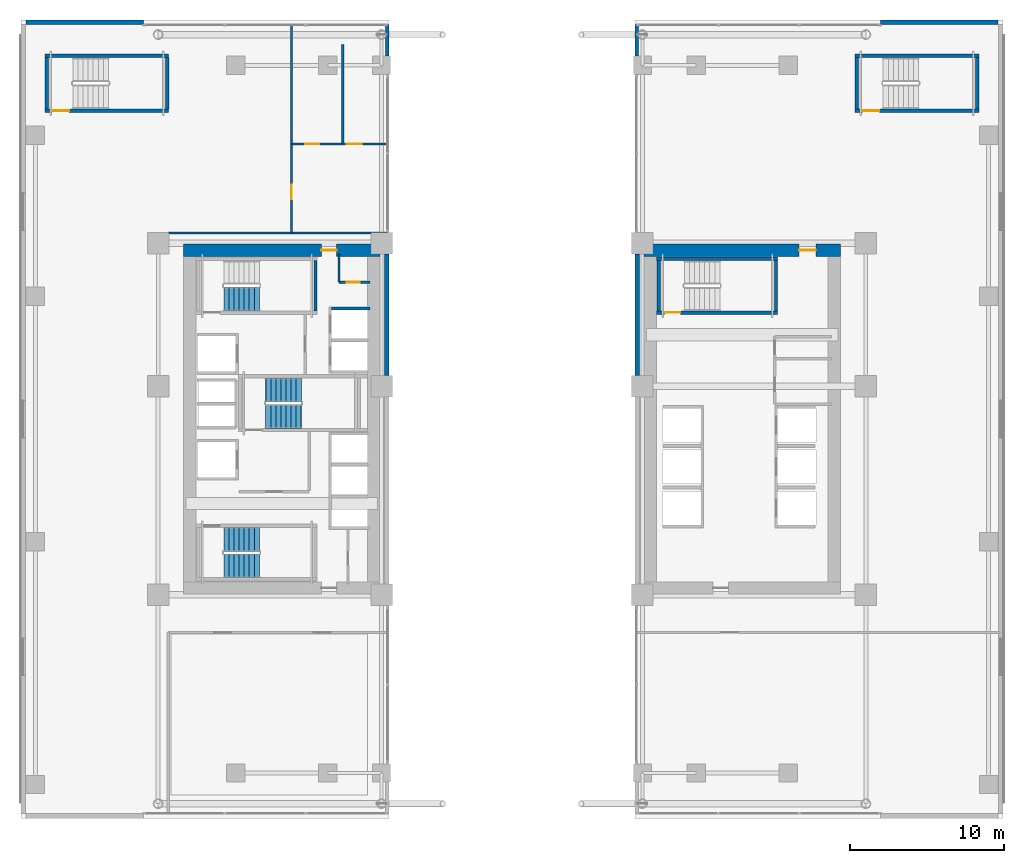
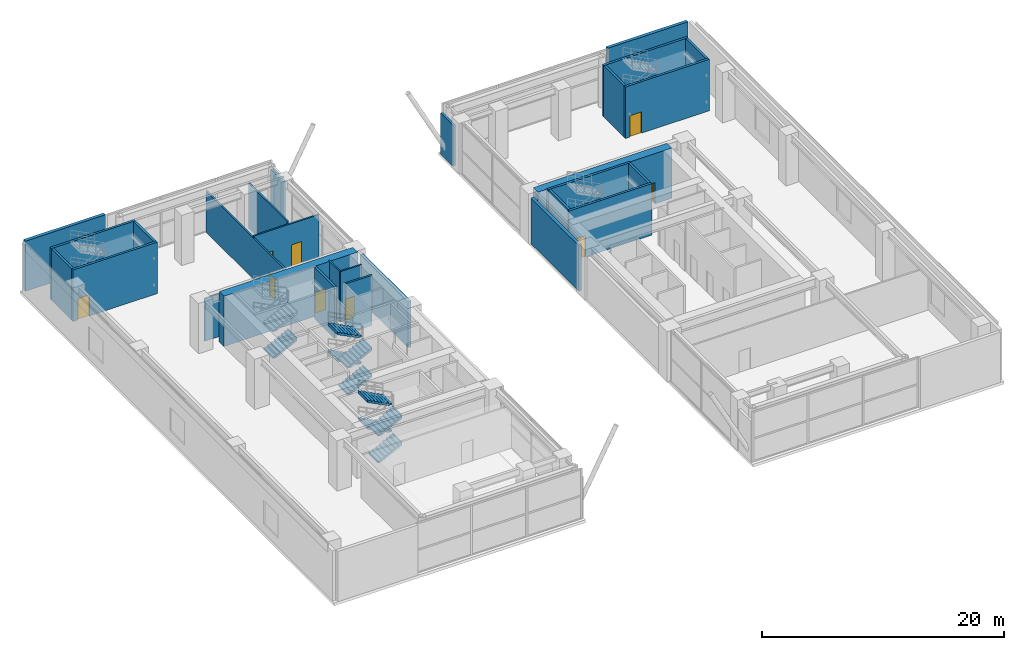
# One storey, part 22 of 29: 28 walls, 10 stair flights, 9 doors, 9 openings, 3 elements without a shape of their own.
"""IFC4 building model written with IfcOpenShell, lengths in metres."""

from ifc_helpers import new_model, si_unit, direction, frame, frame_2d, origin, place, context, subcontext, project, spatial, polyline, rectangle, outline, extrude, source, transform, mapped, material, layer, layer_set, type_object, element, fill, aggregate, save


model = new_model("IFC4")

# Units and contexts
model_context = context("Model", 3, precision=1e-05, world=origin(), true_north=direction((0.0, 1.0)))
body_context = subcontext(model_context, "Body", "Model", "MODEL_VIEW")
ifc_project = project(units=[si_unit("LENGTHUNIT", "METRE"), si_unit("AREAUNIT", "SQUARE_METRE"), si_unit("VOLUMEUNIT", "CUBIC_METRE"), si_unit("PLANEANGLEUNIT", "RADIAN"), si_unit("MASSUNIT", "GRAM", prefix="KILO")], contexts=[model_context])

# Site, building, storey
site_placement = place(None, origin())
site = spatial("IfcSite", under=ifc_project, at=site_placement, CompositionType="ELEMENT")
building_placement = place(site_placement, origin())
building = spatial("IfcBuilding", under=site, at=building_placement, Name="Ocotamira Hotel", CompositionType="ELEMENT")
storey_placement = place(building_placement, frame((0.0, 0.0, 6.0)))
storey = spatial("IfcBuildingStorey", under=building, at=storey_placement, Name="L02", CompositionType="ELEMENT", Elevation=6.0)

# Wall, opening, door
ifc_material_1 = material(Name="Concrete C60/75", Category="concrete")
ifc_layer_1 = layer(ifc_material_1, 0.800048828125)
ifc_layer_set_1 = layer_set([ifc_layer_1], Name="Concrete C60/75")
wall_type_1 = type_object("IfcWallType", Name="WL-CORE-800", PredefinedType="SHEAR", material=ifc_layer_set_1)
wall_1_placement = place(storey_placement, frame((10.60009765625, 37.0, 0.0), z_axis=(0.0, 0.0, 1.0), x_axis=(1.0, 0.0, 0.0)))
wall_1 = element("IfcWall", 1, at=wall_1_placement, inside=storey, type_object=wall_type_1, Name="L02 Shear Core Wall WCORE-N", PredefinedType="SHEAR", context=body_context, shape_type="SweptSolid", body=[
    extrude(rectangle(XDim=12.7998046875, YDim=0.800048828125, at=frame_2d((6.39990234375, 0.0))), origin(), (0.0, 0.0, 1.0), 5.080078125),
])
opening_1_placement = place(wall_1_placement, frame((8.97998046875, 0.0, 0.0)))
opening_1 = element("IfcOpeningElement", 2, at=opening_1_placement, cuts=wall_1, Name="Opening D-FR2", PredefinedType="OPENING", context=body_context, shape_type="SweptSolid", body=[
    extrude(rectangle(XDim=1.0, YDim=2.14990234375, at=frame_2d((0.5, 1.074951171875))), frame((0.0, 0.41015625, 0.0), z_axis=(0.0, -1.0, 0.0), x_axis=(1.0, 0.0, 0.0)), (0.0, 0.0, 1.0), 0.820068359375),
])
ifc_material_2 = material(Name="Fire-rated acoustic timber-veneer door", Category="wood")
door_type_1 = type_object("IfcDoorType", Name="DR-FIRE-1000", OperationType="NOTDEFINED", PredefinedType="DOOR", material=ifc_material_2)
shared_shape_1 = source(origin(), body_context, "Body", "SweptSolid", [
    extrude(rectangle(XDim=1.0, YDim=2.14990234375, at=frame_2d((0.5, 1.074951171875))), frame((0.0, 0.02490234375, 0.0), z_axis=(0.0, -1.0, 0.0), x_axis=(1.0, 0.0, 0.0)), (0.0, 0.0, 1.0), 0.050048828125),
])
door_1_placement = place(opening_1_placement, origin())
door_1 = element("IfcDoor", 3, at=door_1_placement, inside=storey, type_object=door_type_1, Name="L02 Door ID-L02-WLOB-N-D [ID-L02-WLOB-N-D]", OperationType="SINGLE_SWING_RIGHT", OverallHeight=2.14990234375, OverallWidth=1.0, PredefinedType="DOOR", context=body_context, shape_type="MappedRepresentation", body=[
    mapped(shared_shape_1, transform((0.0, 0.0, 0.0), scale=1.0)),
])
fill(opening_1, door_1)

wall_2_placement = place(storey_placement, frame((40.60009765625, 37.0, 0.0), z_axis=(0.0, 0.0, 1.0), x_axis=(1.0, 0.0, 0.0)))
wall_2 = element("IfcWall", 4, at=wall_2_placement, inside=storey, type_object=wall_type_1, Name="L02 Shear Core Wall ECORE-N", PredefinedType="SHEAR", context=body_context, shape_type="SweptSolid", body=[
    extrude(rectangle(XDim=12.7998046875, YDim=0.800048828125, at=frame_2d((6.39990234375, 0.0))), origin(), (0.0, 0.0, 1.0), 5.080078125),
])
opening_2_placement = place(wall_2_placement, frame((10.10009765625, 0.0, 0.0)))
opening_2 = element("IfcOpeningElement", 5, at=opening_2_placement, cuts=wall_2, Name="Opening D-FR1", PredefinedType="OPENING", context=body_context, shape_type="SweptSolid", body=[
    extrude(rectangle(XDim=1.10009765625, YDim=2.14990234375, at=frame_2d((0.550048828125, 1.074951171875))), frame((0.0, 0.41015625, 0.0), z_axis=(0.0, -1.0, 0.0), x_axis=(1.0, 0.0, 0.0)), (0.0, 0.0, 1.0), 0.820068359375),
])
door_type_2 = type_object("IfcDoorType", Name="DR-FIRE-1100", OperationType="NOTDEFINED", PredefinedType="DOOR", material=ifc_material_2)
shared_shape_2 = source(origin(), body_context, "Body", "SweptSolid", [
    extrude(rectangle(XDim=1.10009765625, YDim=2.14990234375, at=frame_2d((0.550048828125, 1.074951171875))), frame((0.0, 0.02490234375, 0.0), z_axis=(0.0, -1.0, 0.0), x_axis=(1.0, 0.0, 0.0)), (0.0, 0.0, 1.0), 0.050048828125),
])
door_2_placement = place(opening_2_placement, origin())
door_2 = element("IfcDoor", 6, at=door_2_placement, inside=storey, type_object=door_type_2, Name="L02 Door ID-L02-ELOB-N-D [ID-L02-ELOB-N-D]", OperationType="SINGLE_SWING_LEFT", OverallHeight=2.14990234375, OverallWidth=1.10009765625, PredefinedType="DOOR", context=body_context, shape_type="MappedRepresentation", body=[
    mapped(shared_shape_2, transform((0.0, 0.0, 0.0), scale=1.0)),
])
fill(opening_2, door_2)

# Walls
ifc_material_3 = material(Name="Travertine-clad precast concrete C45/55", Category="masonry")
ifc_layer_2 = layer(ifc_material_3, 0.300048828125)
ifc_layer_set_2 = layer_set([ifc_layer_2], Name="Travertine-clad precast concrete C45/55")
wall_type_2 = type_object("IfcWallType", Name="WL-EXT-POD-300", PredefinedType="SOLIDWALL", material=ifc_layer_set_2)
for number, where, z_axis, x_axis, name in (
    (7, (0.35009765625, 51.85009765625, 0.0), (0.0, 0.0, 1.0), (1.0, 0.0, 0.0), "L02 N-West Podium Wall"),
    (8, (56.0, 51.85009765625, 0.0), (0.0, 0.0, 1.0), (1.0, 0.0, 0.0), "L02 N-East Podium Wall"),
):
    element("IfcWall", number, at=place(storey_placement, frame(where, z_axis=z_axis, x_axis=x_axis)), inside=storey, type_object=wall_type_2, Name=name, PredefinedType="SOLIDWALL", context=body_context, shape_type="SweptSolid", body=[
        extrude(rectangle(XDim=7.64990234375, YDim=0.300048828125, at=frame_2d((3.824951171875, 0.0))), origin(), (0.0, 0.0, 1.0), 5.080078125),
    ])
wall_3_placement = place(storey_placement, frame((23.8798828125, 49.64990234375, 0.0), z_axis=(0.0, 0.0, 1.0), x_axis=(0.0, 1.0, 0.0)))
element("IfcWall", 9, at=wall_3_placement, inside=storey, type_object=wall_type_2, Name="L02 Giant Arch North Corner Cheek Wall AW", PredefinedType="SOLIDWALL", context=body_context, shape_type="SweptSolid", body=[
    extrude(rectangle(XDim=2.050048828125, YDim=0.239990234375, at=frame_2d((1.02490234375, 0.0))), origin(), (0.0, 0.0, 1.0), 4.153076171875),
])
wall_4_placement = place(storey_placement, frame((23.85009765625, 28.85009765625, 0.0), z_axis=(0.0, 0.0, 1.0), x_axis=(0.0, 1.0, 0.0)))
element("IfcWall", 10, at=wall_4_placement, inside=storey, type_object=wall_type_2, Name="L02 Giant Arch Core Cheek Wall AW-2", PredefinedType="SOLIDWALL", context=body_context, shape_type="SweptSolid", body=[
    extrude(rectangle(XDim=7.89990234375, YDim=0.300048828125, at=frame_2d((3.949951171875, 0.0))), origin(), (0.0, 0.0, 1.0), 4.623046875),
])
wall_5_placement = place(storey_placement, frame((40.1201171875, 49.64990234375, 0.0), z_axis=(0.0, 0.0, 1.0), x_axis=(0.0, 1.0, 0.0)))
element("IfcWall", 11, at=wall_5_placement, inside=storey, type_object=wall_type_2, Name="L02 Giant Arch North Corner Cheek Wall AE", PredefinedType="SOLIDWALL", context=body_context, shape_type="SweptSolid", body=[
    extrude(rectangle(XDim=2.050048828125, YDim=0.239990234375, at=frame_2d((1.02490234375, 0.0))), origin(), (0.0, 0.0, 1.0), 4.153076171875),
])
wall_6_placement = place(storey_placement, frame((40.14990234375, 28.85009765625, 0.0), z_axis=(0.0, 0.0, 1.0), x_axis=(0.0, 1.0, 0.0)))
element("IfcWall", 12, at=wall_6_placement, inside=storey, type_object=wall_type_2, Name="L02 Giant Arch Core Cheek Wall AE-2", PredefinedType="SOLIDWALL", context=body_context, shape_type="SweptSolid", body=[
    extrude(rectangle(XDim=7.89990234375, YDim=0.300048828125, at=frame_2d((3.949951171875, 0.0))), origin(), (0.0, 0.0, 1.0), 4.623046875),
])
ifc_material_4 = material(Name="Acoustic hospitality gypsum board partition", Category="gypsum")
ifc_layer_3 = layer(ifc_material_4, 0.14208984375)
ifc_layer_set_3 = layer_set([ifc_layer_3], Name="Acoustic hospitality gypsum board partition")
wall_type_3 = type_object("IfcWallType", Name="WL-PART-142", PredefinedType="PARTITIONING", material=ifc_layer_set_3)
wall_7_placement = place(storey_placement, frame((20.739990234375, 34.919921875, 0.0), z_axis=(0.0, 0.0, 1.0), x_axis=(0.0, 1.0, 0.0)))
element("IfcWall", 13, at=wall_7_placement, inside=storey, type_object=wall_type_3, Name="L02 Interior Wall PW-L02-WC-NE-W1", PredefinedType="PARTITIONING", context=body_context, shape_type="SweptSolid", body=[
    extrude(rectangle(XDim=1.830078125, YDim=0.14208984375, at=frame_2d((0.9150390625, 0.0))), origin(), (0.0, 0.0, 1.0), 5.080078125),
])

# Wall, opening, door
wall_8_placement = place(storey_placement, frame((20.739990234375, 34.919921875, 0.0), z_axis=(0.0, 0.0, 1.0), x_axis=(1.0, 0.0, 0.0)))
wall_8 = element("IfcWall", 14, at=wall_8_placement, inside=storey, type_object=wall_type_3, Name="L02 Interior Wall PW-L02-WC-NE-S1", PredefinedType="PARTITIONING", context=body_context, shape_type="SweptSolid", body=[
    extrude(rectangle(XDim=2.010009765625, YDim=0.14208984375, at=frame_2d((1.0048828125, 0.0))), origin(), (0.0, 0.0, 1.0), 5.080078125),
])
opening_3_placement = place(wall_8_placement, frame((0.5, 0.0, 0.0)))
opening_3 = element("IfcOpeningElement", 15, at=opening_3_placement, cuts=wall_8, Name="Opening D-SV1", PredefinedType="OPENING", context=body_context, shape_type="SweptSolid", body=[
    extrude(rectangle(XDim=0.840087890625, YDim=2.10009765625, at=frame_2d((0.419921875, 1.050048828125))), frame((0.0, 0.0810546875, 0.0), z_axis=(0.0, -1.0, 0.0), x_axis=(1.0, 0.0, 0.0)), (0.0, 0.0, 1.0), 0.162109375),
])
ifc_material_5 = material(Name="Fire-rated painted steel service door", Category="steel")
door_type_3 = type_object("IfcDoorType", Name="DR-SERV-840", OperationType="NOTDEFINED", PredefinedType="DOOR", material=ifc_material_5)
shared_shape_3 = source(origin(), body_context, "Body", "SweptSolid", [
    extrude(rectangle(XDim=0.840087890625, YDim=2.10009765625, at=frame_2d((0.419921875, 1.050048828125))), frame((0.0, 0.02490234375, 0.0), z_axis=(0.0, -1.0, 0.0), x_axis=(1.0, 0.0, 0.0)), (0.0, 0.0, 1.0), 0.050048828125),
])
door_3_placement = place(opening_3_placement, origin())
door_3 = element("IfcDoor", 16, at=door_3_placement, inside=storey, type_object=door_type_3, Name="L02 Door ID-L02-WC-NE-D1 [ID-L02-WC-NE-D1]", OperationType="SINGLE_SWING_LEFT", OverallHeight=2.10009765625, OverallWidth=0.840087890625, PredefinedType="DOOR", context=body_context, shape_type="MappedRepresentation", body=[
    mapped(shared_shape_3, transform((0.0, 0.0, 0.0), scale=1.0)),
])
fill(opening_3, door_3)

# Wall
ifc_layer_4 = layer(ifc_material_4, 0.14990234375)
ifc_layer_set_4 = layer_set([ifc_layer_4], Name="Acoustic hospitality gypsum board partition")
wall_type_4 = type_object("IfcWallType", Name="WL-PART-150", PredefinedType="PARTITIONING", material=ifc_layer_set_4)
wall_9_placement = place(storey_placement, frame((20.97998046875, 44.0, 0.0), z_axis=(0.0, 0.0, 1.0), x_axis=(0.0, 1.0, 0.0)))
element("IfcWall", 17, at=wall_9_placement, inside=storey, type_object=wall_type_4, Name="L02 Interior Wall PW-L02-L02-WCDIV", PredefinedType="PARTITIONING", context=body_context, shape_type="SweptSolid", body=[
    extrude(rectangle(XDim=6.39990234375, YDim=0.14990234375, at=frame_2d((3.199951171875, 0.0))), origin(), (0.0, 0.0, 1.0), 4.54296875),
])

# Wall, openings, doors
wall_10_placement = place(storey_placement, frame((17.639892578125, 43.919921875, 0.0), z_axis=(0.0, 0.0, 1.0), x_axis=(1.0, 0.0, 0.0)))
wall_10 = element("IfcWall", 18, at=wall_10_placement, inside=storey, type_object=wall_type_4, Name="L02 Interior Wall PW-L02-L02-WCS", PredefinedType="PARTITIONING", context=body_context, shape_type="SweptSolid", body=[
    extrude(rectangle(XDim=6.239990234375, YDim=0.14990234375, at=frame_2d((3.1201171875, 0.0))), origin(), (0.0, 0.0, 1.0), 4.301025390625),
])
opening_4_placement = place(wall_10_placement, frame((0.89990234375, 0.0, 0.0)))
opening_4 = element("IfcOpeningElement", 19, at=opening_4_placement, cuts=wall_10, Name="Opening D-SV3", PredefinedType="OPENING", context=body_context, shape_type="SweptSolid", body=[
    extrude(rectangle(XDim=0.919921875, YDim=2.14990234375, at=frame_2d((0.4599609375, 1.074951171875))), frame((0.0, 0.0849609375, 0.0), z_axis=(0.0, -1.0, 0.0), x_axis=(1.0, 0.0, 0.0)), (0.0, 0.0, 1.0), 0.169921875),
])
opening_5_placement = place(wall_10_placement, frame((3.60009765625, 0.0, 0.0)))
opening_5 = element("IfcOpeningElement", 20, at=opening_5_placement, cuts=wall_10, Name="Opening D-SV4", PredefinedType="OPENING", context=body_context, shape_type="SweptSolid", body=[
    extrude(rectangle(XDim=0.9599609375, YDim=2.14990234375, at=frame_2d((0.47998046875, 1.074951171875))), frame((0.0, 0.0849609375, 0.0), z_axis=(0.0, -1.0, 0.0), x_axis=(1.0, 0.0, 0.0)), (0.0, 0.0, 1.0), 0.169921875),
])
ifc_material_6 = material(Name="Fire-rated accessible walnut salon door", Category="wood")
door_type_4 = type_object("IfcDoorType", Name="DR-SERV-960", OperationType="NOTDEFINED", PredefinedType="DOOR", material=ifc_material_6)
shared_shape_4 = source(origin(), body_context, "Body", "SweptSolid", [
    extrude(rectangle(XDim=0.9599609375, YDim=2.14990234375, at=frame_2d((0.47998046875, 1.074951171875))), frame((0.0, 0.02490234375, 0.0), z_axis=(0.0, -1.0, 0.0), x_axis=(1.0, 0.0, 0.0)), (0.0, 0.0, 1.0), 0.050048828125),
])
door_4_placement = place(opening_5_placement, origin())
door_4 = element("IfcDoor", 21, at=door_4_placement, inside=storey, type_object=door_type_4, Name="L02 Door ID-L02-L02-AWCD [ID-L02-L02-AWCD]", OperationType="SINGLE_SWING_RIGHT", OverallHeight=2.14990234375, OverallWidth=0.9599609375, PredefinedType="DOOR", context=body_context, shape_type="MappedRepresentation", body=[
    mapped(shared_shape_4, transform((0.0, 0.0, 0.0), scale=1.0)),
])
fill(opening_5, door_4)
ifc_material_7 = material(Name="Fire-rated walnut hospitality door", Category="wood")
door_type_5 = type_object("IfcDoorType", Name="DR-SERV-920", OperationType="NOTDEFINED", PredefinedType="DOOR", material=ifc_material_7)
shared_shape_5 = source(origin(), body_context, "Body", "SweptSolid", [
    extrude(rectangle(XDim=0.919921875, YDim=2.14990234375, at=frame_2d((0.4599609375, 1.074951171875))), frame((0.0, 0.02490234375, 0.0), z_axis=(0.0, -1.0, 0.0), x_axis=(1.0, 0.0, 0.0)), (0.0, 0.0, 1.0), 0.050048828125),
])
door_5_placement = place(opening_4_placement, origin())
door_5 = element("IfcDoor", 22, at=door_5_placement, inside=storey, type_object=door_type_5, Name="L02 Door ID-L02-L02-WCD1 [ID-L02-L02-WCD1]", OperationType="SINGLE_SWING_LEFT", OverallHeight=2.14990234375, OverallWidth=0.919921875, PredefinedType="DOOR", context=body_context, shape_type="MappedRepresentation", body=[
    mapped(shared_shape_5, transform((0.0, 0.0, 0.0), scale=1.0)),
])
fill(opening_4, door_5)

# Wall
wall_11_placement = place(storey_placement, frame((9.60009765625, 38.1201171875, 0.0), z_axis=(0.0, 0.0, 1.0), x_axis=(1.0, 0.0, 0.0)))
element("IfcWall", 23, at=wall_11_placement, inside=storey, type_object=wall_type_4, Name="L02 Interior Wall PW-L02-L02-BAR-S", PredefinedType="PARTITIONING", context=body_context, shape_type="SweptSolid", body=[
    extrude(rectangle(XDim=14.27978515625, YDim=0.14990234375, at=frame_2d((7.139892578125, 0.0))), origin(), (0.0, 0.0, 1.0), 4.301025390625),
])

# Wall, opening, door
wall_12_placement = place(storey_placement, frame((17.639892578125, 38.1201171875, 0.0), z_axis=(0.0, 0.0, 1.0), x_axis=(0.0, 1.0, 0.0)))
wall_12 = element("IfcWall", 24, at=wall_12_placement, inside=storey, type_object=wall_type_4, Name="L02 Interior Wall PW-L02-L02-BAR-E", PredefinedType="PARTITIONING", context=body_context, shape_type="SweptSolid", body=[
    extrude(rectangle(XDim=13.559814453125, YDim=0.14990234375, at=frame_2d((6.77978515625, 0.0))), origin(), (0.0, 0.0, 1.0), 4.153076171875),
])
opening_6_placement = place(wall_12_placement, frame((2.199951171875, 0.0, 0.0)))
opening_6 = element("IfcOpeningElement", 25, at=opening_6_placement, cuts=wall_12, Name="Opening D-SV4", PredefinedType="OPENING", context=body_context, shape_type="SweptSolid", body=[
    extrude(rectangle(XDim=0.9599609375, YDim=2.14990234375, at=frame_2d((0.47998046875, 1.074951171875))), frame((0.0, 0.0849609375, 0.0), z_axis=(0.0, -1.0, 0.0), x_axis=(1.0, 0.0, 0.0)), (0.0, 0.0, 1.0), 0.169921875),
])
door_6_placement = place(opening_6_placement, origin())
door_6 = element("IfcDoor", 26, at=door_6_placement, inside=storey, type_object=door_type_4, Name="L02 Door ID-L02-L02-BAR-D [ID-L02-L02-BAR-D]", OperationType="SINGLE_SWING_LEFT", OverallHeight=2.14990234375, OverallWidth=0.9599609375, PredefinedType="DOOR", context=body_context, shape_type="MappedRepresentation", body=[
    mapped(shared_shape_4, transform((0.0, 0.0, 0.0), scale=1.0)),
])
fill(opening_6, door_6)

# Walls
ifc_material_8 = material(Name="Fire-rated gypsum shaftliner board assembly", Category="gypsum")
ifc_layer_5 = layer(ifc_material_8, 0.179931640625)
ifc_layer_set_5 = layer_set([ifc_layer_5], Name="Fire-rated gypsum shaftliner board assembly")
wall_type_5 = type_object("IfcWallType", Name="WL-SHAFT-180", PredefinedType="SOLIDWALL", material=ifc_layer_set_5)
wall_13_placement = place(storey_placement, frame((20.25, 33.199951171875, 0.0), z_axis=(0.0, 0.0, 1.0), x_axis=(1.0, 0.0, 0.0)))
element("IfcWall", 27, at=wall_13_placement, inside=storey, type_object=wall_type_5, Name="L02 Interior Wall PW-L02-LFW-BANK-obs-N", PredefinedType="SOLIDWALL", context=body_context, shape_type="SweptSolid", body=[
    extrude(rectangle(XDim=2.5, YDim=0.179931640625, at=frame_2d((1.25, 0.0))), origin(), (0.0, 0.0, 1.0), 5.080078125),
])
ifc_material_9 = material(Name="Concrete C50/60", Category="concrete")
ifc_layer_6 = layer(ifc_material_9, 0.219970703125)
ifc_layer_set_6 = layer_set([ifc_layer_6], Name="Concrete C50/60")
wall_type_6 = type_object("IfcWallType", Name="WL-STAIR-220", PredefinedType="SHEAR", material=ifc_layer_set_6)
wall_14_placement = place(storey_placement, frame((19.199951171875, 33.050048828125, 0.0), z_axis=(0.0, 0.0, 1.0), x_axis=(0.0, 1.0, 0.0)))
element("IfcWall", 28, at=wall_14_placement, inside=storey, type_object=wall_type_6, Name="L02 Stair Shaft Structural Wall ST-2-E", PredefinedType="SHEAR", context=body_context, shape_type="SweptSolid", body=[
    extrude(rectangle(XDim=3.280029296875, YDim=0.219970703125, at=frame_2d((1.64013671875, 0.0))), origin(), (0.0, 0.0, 1.0), 5.199951171875),
])

# Wall, opening, door
wall_15_placement = place(storey_placement, frame((41.39990234375, 32.93994140625, 0.0), z_axis=(0.0, 0.0, 1.0), x_axis=(1.0, 0.0, 0.0)))
wall_15 = element("IfcWall", 29, at=wall_15_placement, inside=storey, type_object=wall_type_6, Name="L02 Stair Shaft Structural Wall ST-4-S", PredefinedType="SHEAR", context=body_context, shape_type="SweptSolid", body=[
    extrude(rectangle(XDim=7.91015625, YDim=0.219970703125, at=frame_2d((3.955078125, 0.0))), origin(), (0.0, 0.0, 1.0), 5.199951171875),
])
opening_7_placement = place(wall_15_placement, frame((0.52001953125, 0.0, 0.0)))
opening_7 = element("IfcOpeningElement", 30, at=opening_7_placement, cuts=wall_15, Name="Opening D-ST2", PredefinedType="OPENING", context=body_context, shape_type="SweptSolid", body=[
    extrude(rectangle(XDim=1.050048828125, YDim=2.14990234375, at=frame_2d((0.52490234375, 1.074951171875))), frame((0.0, 0.1201171875, 0.0), z_axis=(0.0, -1.0, 0.0), x_axis=(1.0, 0.0, 0.0)), (0.0, 0.0, 1.0), 0.239990234375),
])
ifc_material_10 = material(Name="Insulated painted hollow-metal fire exit door", Category="steel")
door_type_6 = type_object("IfcDoorType", Name="DR-STAIR-1050", OperationType="NOTDEFINED", PredefinedType="DOOR", material=ifc_material_10)
shared_shape_6 = source(origin(), body_context, "Body", "SweptSolid", [
    extrude(rectangle(XDim=1.050048828125, YDim=2.14990234375, at=frame_2d((0.52490234375, 1.074951171875))), frame((0.0, 0.02490234375, 0.0), z_axis=(0.0, -1.0, 0.0), x_axis=(1.0, 0.0, 0.0)), (0.0, 0.0, 1.0), 0.050048828125),
])
door_7_placement = place(opening_7_placement, origin())
door_7 = element("IfcDoor", 31, at=door_7_placement, inside=storey, type_object=door_type_6, Name="L02 Door ID-L02-STD-ST-4 [ID-L02-STD-ST-4]", OperationType="SINGLE_SWING_RIGHT", OverallHeight=2.14990234375, OverallWidth=1.050048828125, PredefinedType="DOOR", context=body_context, shape_type="MappedRepresentation", body=[
    mapped(shared_shape_6, transform((0.0, 0.0, 0.0), scale=1.0)),
])
fill(opening_7, door_7)

# Walls
wall_16_placement = place(storey_placement, frame((41.39990234375, 36.43994140625, 0.0), z_axis=(0.0, 0.0, 1.0), x_axis=(1.0, 0.0, 0.0)))
element("IfcWall", 32, at=wall_16_placement, inside=storey, type_object=wall_type_6, Name="L02 Stair Shaft Structural Wall ST-4-N", PredefinedType="SHEAR", context=body_context, shape_type="SweptSolid", body=[
    extrude(rectangle(XDim=7.91015625, YDim=0.219970703125, at=frame_2d((3.955078125, 0.0))), origin(), (0.0, 0.0, 1.0), 5.199951171875),
])
for number, where, z_axis, x_axis, name in (
    (33, (41.56005859375, 33.050048828125, 0.0), (0.0, 0.0, 1.0), (0.0, 1.0, 0.0), "L02 Stair Shaft Structural Wall ST-4-W"),
    (34, (49.199951171875, 33.050048828125, 0.0), (0.0, 0.0, 1.0), (0.0, 1.0, 0.0), "L02 Stair Shaft Structural Wall ST-4-E"),
):
    element("IfcWall", number, at=place(storey_placement, frame(where, z_axis=z_axis, x_axis=x_axis)), inside=storey, type_object=wall_type_6, Name=name, PredefinedType="SHEAR", context=body_context, shape_type="SweptSolid", body=[
        extrude(rectangle(XDim=3.280029296875, YDim=0.219970703125, at=frame_2d((1.64013671875, 0.0))), origin(), (0.0, 0.0, 1.0), 5.199951171875),
    ])

# Wall, opening, door
wall_17_placement = place(storey_placement, frame((1.580078125, 46.090087890625, 0.0), z_axis=(0.0, 0.0, 1.0), x_axis=(1.0, 0.0, 0.0)))
wall_17 = element("IfcWall", 35, at=wall_17_placement, inside=storey, type_object=wall_type_6, Name="L02 Stair Shaft Structural Wall ST-5-S", PredefinedType="SHEAR", context=body_context, shape_type="SweptSolid", body=[
    extrude(rectangle(XDim=8.059814453125, YDim=0.219970703125, at=frame_2d((4.02978515625, 0.0))), origin(), (0.0, 0.0, 1.0), 5.199951171875),
])
opening_8_placement = place(wall_17_placement, frame((0.469970703125, 0.0, 0.0)))
opening_8 = element("IfcOpeningElement", 36, at=opening_8_placement, cuts=wall_17, Name="Opening D-ST1", PredefinedType="OPENING", context=body_context, shape_type="SweptSolid", body=[
    extrude(rectangle(XDim=1.10009765625, YDim=2.14990234375, at=frame_2d((0.550048828125, 1.074951171875))), frame((0.0, 0.1201171875, 0.0), z_axis=(0.0, -1.0, 0.0), x_axis=(1.0, 0.0, 0.0)), (0.0, 0.0, 1.0), 0.239990234375),
])
door_type_7 = type_object("IfcDoorType", Name="DR-STAIR-1100", OperationType="NOTDEFINED", PredefinedType="DOOR", material=ifc_material_10)
door_8_placement = place(opening_8_placement, origin())
door_8 = element("IfcDoor", 37, at=door_8_placement, inside=storey, type_object=door_type_7, Name="L02 Door ID-L02-STD-ST-5 [ID-L02-STD-ST-5]", OperationType="SINGLE_SWING_LEFT", OverallHeight=2.14990234375, OverallWidth=1.10009765625, PredefinedType="DOOR", context=body_context, shape_type="MappedRepresentation", body=[
    mapped(shared_shape_2, transform((0.0, 0.0, 0.0), scale=1.0)),
])
fill(opening_8, door_8)

# Walls
wall_18_placement = place(storey_placement, frame((1.580078125, 49.669921875, 0.0), z_axis=(0.0, 0.0, 1.0), x_axis=(1.0, 0.0, 0.0)))
element("IfcWall", 38, at=wall_18_placement, inside=storey, type_object=wall_type_6, Name="L02 Stair Shaft Structural Wall ST-5-N", PredefinedType="SHEAR", context=body_context, shape_type="SweptSolid", body=[
    extrude(rectangle(XDim=8.059814453125, YDim=0.219970703125, at=frame_2d((4.02978515625, 0.0))), origin(), (0.0, 0.0, 1.0), 5.199951171875),
])
for number, where, z_axis, x_axis, name in (
    (39, (1.68994140625, 46.199951171875, 0.0), (0.0, 0.0, 1.0), (0.0, 1.0, 0.0), "L02 Stair Shaft Structural Wall ST-5-W"),
    (40, (9.530029296875, 46.199951171875, 0.0), (0.0, 0.0, 1.0), (0.0, 1.0, 0.0), "L02 Stair Shaft Structural Wall ST-5-E"),
):
    element("IfcWall", number, at=place(storey_placement, frame(where, z_axis=z_axis, x_axis=x_axis)), inside=storey, type_object=wall_type_6, Name=name, PredefinedType="SHEAR", context=body_context, shape_type="SweptSolid", body=[
        extrude(rectangle(XDim=3.360107421875, YDim=0.219970703125, at=frame_2d((1.68017578125, 0.0))), origin(), (0.0, 0.0, 1.0), 5.199951171875),
    ])

# Wall, opening, door
wall_19_placement = place(storey_placement, frame((54.360107421875, 46.090087890625, 0.0), z_axis=(0.0, 0.0, 1.0), x_axis=(1.0, 0.0, 0.0)))
wall_19 = element("IfcWall", 41, at=wall_19_placement, inside=storey, type_object=wall_type_6, Name="L02 Stair Shaft Structural Wall ST-6-S", PredefinedType="SHEAR", context=body_context, shape_type="SweptSolid", body=[
    extrude(rectangle(XDim=8.059814453125, YDim=0.219970703125, at=frame_2d((4.02978515625, 0.0))), origin(), (0.0, 0.0, 1.0), 5.199951171875),
])
opening_9_placement = place(wall_19_placement, frame((0.469970703125, 0.0, 0.0)))
opening_9 = element("IfcOpeningElement", 42, at=opening_9_placement, cuts=wall_19, Name="Opening D-ST1", PredefinedType="OPENING", context=body_context, shape_type="SweptSolid", body=[
    extrude(rectangle(XDim=1.10009765625, YDim=2.14990234375, at=frame_2d((0.550048828125, 1.074951171875))), frame((0.0, 0.1201171875, 0.0), z_axis=(0.0, -1.0, 0.0), x_axis=(1.0, 0.0, 0.0)), (0.0, 0.0, 1.0), 0.239990234375),
])
door_9_placement = place(opening_9_placement, origin())
door_9 = element("IfcDoor", 43, at=door_9_placement, inside=storey, type_object=door_type_7, Name="L02 Door ID-L02-STD-ST-6 [ID-L02-STD-ST-6]", OperationType="SINGLE_SWING_RIGHT", OverallHeight=2.14990234375, OverallWidth=1.10009765625, PredefinedType="DOOR", context=body_context, shape_type="MappedRepresentation", body=[
    mapped(shared_shape_2, transform((0.0, 0.0, 0.0), scale=1.0)),
])
fill(opening_9, door_9)

# Walls
wall_20_placement = place(storey_placement, frame((54.360107421875, 49.669921875, 0.0), z_axis=(0.0, 0.0, 1.0), x_axis=(1.0, 0.0, 0.0)))
element("IfcWall", 44, at=wall_20_placement, inside=storey, type_object=wall_type_6, Name="L02 Stair Shaft Structural Wall ST-6-N", PredefinedType="SHEAR", context=body_context, shape_type="SweptSolid", body=[
    extrude(rectangle(XDim=8.059814453125, YDim=0.219970703125, at=frame_2d((4.02978515625, 0.0))), origin(), (0.0, 0.0, 1.0), 5.199951171875),
])
for number, where, z_axis, x_axis, name in (
    (45, (54.469970703125, 46.199951171875, 0.0), (0.0, 0.0, 1.0), (0.0, 1.0, 0.0), "L02 Stair Shaft Structural Wall ST-6-W"),
    (46, (62.31005859375, 46.199951171875, 0.0), (0.0, 0.0, 1.0), (0.0, 1.0, 0.0), "L02 Stair Shaft Structural Wall ST-6-E"),
):
    element("IfcWall", number, at=place(storey_placement, frame(where, z_axis=z_axis, x_axis=x_axis)), inside=storey, type_object=wall_type_6, Name=name, PredefinedType="SHEAR", context=body_context, shape_type="SweptSolid", body=[
        extrude(rectangle(XDim=3.360107421875, YDim=0.219970703125, at=frame_2d((1.68017578125, 0.0))), origin(), (0.0, 0.0, 1.0), 5.199951171875),
    ])

# Stair, stair flights
ifc_material_11 = material(Name="Concrete C40/50", Category="concrete")
stair_type = type_object("IfcStairType", Name="ST-CORE-1560", PredefinedType="HALF_TURN_STAIR", material=ifc_material_11)
stair_1_placement = place(storey_placement, origin())
stair_1 = element("IfcStair", 47, at=stair_1_placement, inside=storey, type_object=stair_type, Name="L02 Exit Stair ST-1", PredefinedType="HALF_TURN_STAIR")
stair_flight_type = type_object("IfcStairFlightType", Name="STF-CORE-1560", PredefinedType="STRAIGHT", material=ifc_material_11)
shared_shape_7 = source(origin(), body_context, "Body", "SweptSolid", [
    extrude(outline(polyline([(-0.00390625, 0.0), (-0.00390625, 0.168701171875), (0.330078125, 0.168701171875), (0.330078125, 0.33740234375), (0.659912109375, 0.33740234375), (0.659912109375, 0.50634765625), (0.989990234375, 0.50634765625), (0.989990234375, 0.675048828125), (1.320068359375, 0.675048828125), (1.320068359375, 0.84375), (1.64990234375, 0.84375), (1.64990234375, 1.012451171875), (1.97998046875, 1.012451171875), (1.97998046875, 1.18115234375), (2.31005859375, 1.18115234375), (2.31005859375, 1.35009765625), (2.31396484375, 1.35009765625), (2.31396484375, 1.012939453125), (0.329345703125, 0.0), (-0.00390625, 0.0)])), frame((0.0, 0.780029296875, 0.0), z_axis=(0.0, -1.0, 0.0), x_axis=(1.0, 0.0, 0.0)), (0.0, 0.0, 1.0), 1.56005859375),
])
stair_flight_1_placement = place(storey_placement, frame((13.22998046875, 16.449951171875, 0.0), z_axis=(0.0, 0.0, 1.0), x_axis=(1.0, 0.0, 0.0)))
stair_flight_1 = element("IfcStairFlight", 48, at=stair_flight_1_placement, type_object=stair_flight_type, Name="ST-1 flight 1", NumberOfRisers=8, NumberOfTreads=7, PredefinedType="STRAIGHT", RiserHeight=0.16875, TreadLength=0.33, context=body_context, shape_type="MappedRepresentation", body=[
    mapped(shared_shape_7, transform((0.0, 0.0, 0.0), scale=1.0)),
])
stair_flight_2_placement = place(storey_placement, frame((15.5400390625, 18.169921875, 1.35009765625), z_axis=(0.0, 0.0, 1.0), x_axis=(-1.0, 0.0, 0.0)))
stair_flight_2 = element("IfcStairFlight", 49, at=stair_flight_2_placement, type_object=stair_flight_type, Name="ST-1 flight 2", NumberOfRisers=8, NumberOfTreads=7, PredefinedType="STRAIGHT", RiserHeight=0.16875, TreadLength=0.33, context=body_context, shape_type="MappedRepresentation", body=[
    mapped(shared_shape_7, transform((0.0, 0.0, 0.0), scale=1.0)),
])
stair_flight_3_placement = place(storey_placement, frame((13.22998046875, 16.449951171875, 2.699951171875), z_axis=(0.0, 0.0, 1.0), x_axis=(1.0, 0.0, 0.0)))
stair_flight_3 = element("IfcStairFlight", 50, at=stair_flight_3_placement, type_object=stair_flight_type, Name="ST-1 flight 3", NumberOfRisers=8, NumberOfTreads=7, PredefinedType="STRAIGHT", RiserHeight=0.16875, TreadLength=0.33, context=body_context, shape_type="MappedRepresentation", body=[
    mapped(shared_shape_7, transform((0.0, 0.0, 0.0), scale=1.0)),
])
stair_flight_4_placement = place(storey_placement, frame((15.5400390625, 18.169921875, 4.050048828125), z_axis=(0.0, 0.0, 1.0), x_axis=(-1.0, 0.0, 0.0)))
stair_flight_4 = element("IfcStairFlight", 51, at=stair_flight_4_placement, type_object=stair_flight_type, Name="ST-1 flight 4", NumberOfRisers=8, NumberOfTreads=7, PredefinedType="STRAIGHT", RiserHeight=0.16875, TreadLength=0.33, context=body_context, shape_type="MappedRepresentation", body=[
    mapped(shared_shape_7, transform((0.0, 0.0, 0.0), scale=1.0)),
])
aggregate(stair_1, [stair_flight_1, stair_flight_2, stair_flight_3, stair_flight_4])

stair_2_placement = place(storey_placement, origin())
stair_2 = element("IfcStair", 52, at=stair_2_placement, inside=storey, type_object=stair_type, Name="L02 Exit Stair ST-2", PredefinedType="HALF_TURN_STAIR")
stair_flight_5_placement = place(storey_placement, frame((13.22998046875, 33.830078125, 0.0), z_axis=(0.0, 0.0, 1.0), x_axis=(1.0, 0.0, 0.0)))
stair_flight_5 = element("IfcStairFlight", 53, at=stair_flight_5_placement, type_object=stair_flight_type, Name="ST-2 flight 1", NumberOfRisers=8, NumberOfTreads=7, PredefinedType="STRAIGHT", RiserHeight=0.16875, TreadLength=0.33, context=body_context, shape_type="MappedRepresentation", body=[
    mapped(shared_shape_7, transform((0.0, 0.0, 0.0), scale=1.0)),
])
stair_flight_6_placement = place(storey_placement, frame((13.22998046875, 33.830078125, 2.699951171875), z_axis=(0.0, 0.0, 1.0), x_axis=(1.0, 0.0, 0.0)))
stair_flight_6 = element("IfcStairFlight", 54, at=stair_flight_6_placement, type_object=stair_flight_type, Name="ST-2 flight 3", NumberOfRisers=8, NumberOfTreads=7, PredefinedType="STRAIGHT", RiserHeight=0.16875, TreadLength=0.33, context=body_context, shape_type="MappedRepresentation", body=[
    mapped(shared_shape_7, transform((0.0, 0.0, 0.0), scale=1.0)),
])
aggregate(stair_2, [stair_flight_5, stair_flight_6])

stair_3_placement = place(storey_placement, origin())
stair_3 = element("IfcStair", 55, at=stair_3_placement, inside=storey, type_object=stair_type, Name="L02 Exit Stair ST-3", PredefinedType="HALF_TURN_STAIR")
stair_flight_7_placement = place(storey_placement, frame((15.9599609375, 26.179931640625, 0.0), z_axis=(0.0, 0.0, 1.0), x_axis=(1.0, 0.0, 0.0)))
stair_flight_7 = element("IfcStairFlight", 56, at=stair_flight_7_placement, type_object=stair_flight_type, Name="ST-3 flight 1", NumberOfRisers=8, NumberOfTreads=7, PredefinedType="STRAIGHT", RiserHeight=0.16875, TreadLength=0.33, context=body_context, shape_type="MappedRepresentation", body=[
    mapped(shared_shape_7, transform((0.0, 0.0, 0.0), scale=1.0)),
])
stair_flight_8_placement = place(storey_placement, frame((18.27001953125, 27.89990234375, 1.35009765625), z_axis=(0.0, 0.0, 1.0), x_axis=(-1.0, 0.0, 0.0)))
stair_flight_8 = element("IfcStairFlight", 57, at=stair_flight_8_placement, type_object=stair_flight_type, Name="ST-3 flight 2", NumberOfRisers=8, NumberOfTreads=7, PredefinedType="STRAIGHT", RiserHeight=0.16875, TreadLength=0.33, context=body_context, shape_type="MappedRepresentation", body=[
    mapped(shared_shape_7, transform((0.0, 0.0, 0.0), scale=1.0)),
])
stair_flight_9_placement = place(storey_placement, frame((15.9599609375, 26.179931640625, 2.699951171875), z_axis=(0.0, 0.0, 1.0), x_axis=(1.0, 0.0, 0.0)))
stair_flight_9 = element("IfcStairFlight", 58, at=stair_flight_9_placement, type_object=stair_flight_type, Name="ST-3 flight 3", NumberOfRisers=8, NumberOfTreads=7, PredefinedType="STRAIGHT", RiserHeight=0.16875, TreadLength=0.33, context=body_context, shape_type="MappedRepresentation", body=[
    mapped(shared_shape_7, transform((0.0, 0.0, 0.0), scale=1.0)),
])
stair_flight_10_placement = place(storey_placement, frame((18.27001953125, 27.89990234375, 4.050048828125), z_axis=(0.0, 0.0, 1.0), x_axis=(-1.0, 0.0, 0.0)))
stair_flight_10 = element("IfcStairFlight", 59, at=stair_flight_10_placement, type_object=stair_flight_type, Name="ST-3 flight 4", NumberOfRisers=8, NumberOfTreads=7, PredefinedType="STRAIGHT", RiserHeight=0.16875, TreadLength=0.33, context=body_context, shape_type="MappedRepresentation", body=[
    mapped(shared_shape_7, transform((0.0, 0.0, 0.0), scale=1.0)),
])
aggregate(stair_3, [stair_flight_7, stair_flight_8, stair_flight_9, stair_flight_10])

save(model, "model.ifc")
